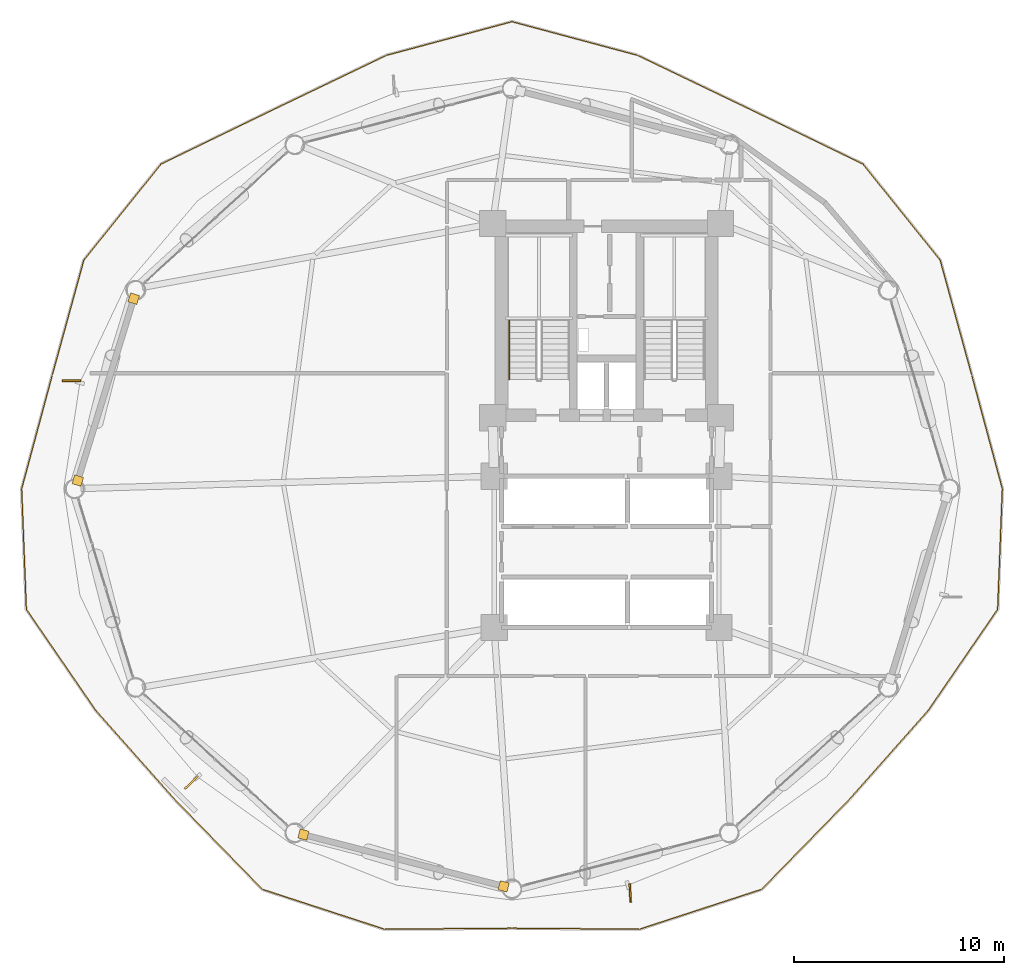
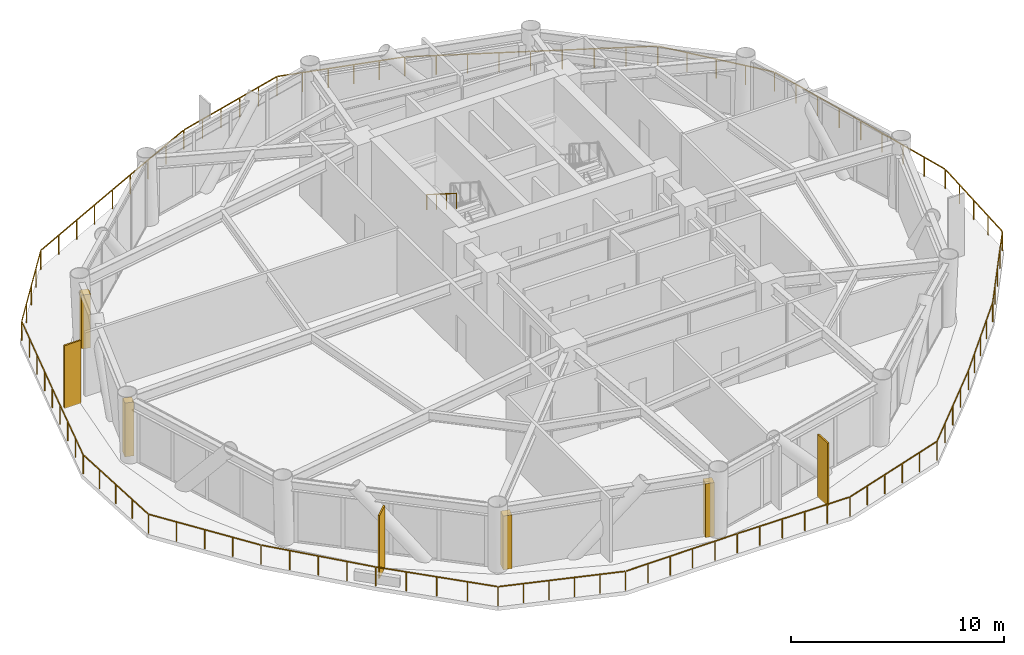
# One storey, part 22 of 24: 4 coverings, 3 shading devices, 2 railings.
"""IFC4 building model written with IfcOpenShell, lengths in metres."""

from ifc_helpers import new_model, si_unit, direction, frame, origin, origin_2d, place, context, subcontext, project, spatial, rectangle, extrude, source, transform, mapped, material, layer, layer_set, type_object, type_shapes, element, save


model = new_model("IFC4")

# Units and contexts
model_context = context("Model", 3, precision=1e-05, world=origin(), true_north=direction((0.0, 1.0)))
body_context = subcontext(model_context, "Body", "Model", "MODEL_VIEW")
ifc_project = project(units=[si_unit("LENGTHUNIT", "METRE"), si_unit("AREAUNIT", "SQUARE_METRE"), si_unit("VOLUMEUNIT", "CUBIC_METRE"), si_unit("PLANEANGLEUNIT", "RADIAN"), si_unit("MASSUNIT", "GRAM", prefix="KILO")], contexts=[model_context])

# Site, building, storey
site_placement = place(None, origin())
site = spatial("IfcSite", under=ifc_project, at=site_placement, CompositionType="ELEMENT")
building_placement = place(site_placement, origin())
building = spatial("IfcBuilding", under=site, at=building_placement, Name="Varnakorn Sky Granary", CompositionType="ELEMENT")
storey_placement = place(building_placement, frame((0.0, 0.0, 43.199951171875)))
storey = spatial("IfcBuildingStorey", under=building, at=storey_placement, Name="L10", CompositionType="ELEMENT", Elevation=43.199951171875)

# Railings
ifc_material_1 = material(Name="Anodised Bronze Aluminium Alloy 6063-T6", Category="aluminium")
railing_type_1 = type_object("IfcRailingType", Name="RL-BAL-1120", PredefinedType="BALUSTRADE", material=ifc_material_1)
railing_1_placement = place(storey_placement, frame((21.83203125, 0.0, 0.0)))
element("IfcRailing", 1, at=railing_1_placement, inside=storey, type_object=railing_type_1, Name="Wavy Growing Deck Guard Balustrade L10", PredefinedType="BALUSTRADE", context=body_context, shape_type="SweptSolid", body=[
    extrude(rectangle(XDim=0.048095703125, YDim=0.048095703125, at=origin_2d()), frame((-0.00732421875, 0.027099609375, 1.09619140625), z_axis=(-0.259813983137, 0.965658684094, 0.0), x_axis=(-0.965658684094, -0.259813983137, 0.0)), (0.0, 0.0, 1.0), 5.54345703125),
    extrude(rectangle(XDim=0.048095703125, YDim=0.048095703125, at=origin_2d()), frame((-1.462158203125, 5.434326171875, 1.09619140625), z_axis=(-0.264702873631, 0.964330020632, 0.0), x_axis=(-0.964330020632, -0.264702873631, 0.0)), (0.0, 0.0, 1.0), 5.62353515625),
    extrude(rectangle(XDim=0.048095703125, YDim=0.048095703125, at=origin_2d()), frame((-2.975830078125, 10.906005859375, 1.09619140625), z_axis=(-0.626485033946, 0.779433449527, 0.0), x_axis=(-0.779433449527, -0.626485033946, 0.0)), (0.0, 0.0, 1.0), 5.81005859375),
    extrude(rectangle(XDim=0.048095703125, YDim=0.048095703125, at=origin_2d()), frame((-6.658447265625, 15.46875, 1.09619140625), z_axis=(-0.899831566282, 0.43623749532, 0.0), x_axis=(-0.43623749532, -0.899831566282, 0.0)), (0.0, 0.0, 1.0), 5.932373046875),
    extrude(rectangle(XDim=0.048095703125, YDim=0.048095703125, at=origin_2d()), frame((-12.046875, 18.0810546875, 1.09619140625), z_axis=(-0.901562369498, 0.432649157985, 0.0), x_axis=(-0.432649157985, -0.901562369498, 0.0)), (0.0, 0.0, 1.0), 5.85498046875),
    extrude(rectangle(XDim=0.048095703125, YDim=0.048095703125, at=origin_2d()), frame((-17.3779296875, 20.633544921875, 1.09619140625), z_axis=(-0.965920772215, 0.258837906428, 0.0), x_axis=(-0.258837906428, -0.965920772215, 0.0)), (0.0, 0.0, 1.0), 6.13623046875),
    extrude(rectangle(XDim=0.048095703125, YDim=0.048095703125, at=origin_2d()), frame((-23.359130859375, 22.2216796875, 1.09619140625), z_axis=(-0.965920772215, -0.258837906428, 0.0), x_axis=(0.258837906428, -0.965920772215, 0.0)), (0.0, 0.0, 1.0), 6.13623046875),
    extrude(rectangle(XDim=0.048095703125, YDim=0.048095703125, at=origin_2d()), frame((-29.33837890625, 20.614013671875, 1.09619140625), z_axis=(-0.901562369498, -0.432649157985, 0.0), x_axis=(0.432649157985, -0.901562369498, 0.0)), (0.0, 0.0, 1.0), 5.85498046875),
    extrude(rectangle(XDim=0.048095703125, YDim=0.048095703125, at=origin_2d()), frame((-34.66748046875, 18.056640625, 1.09619140625), z_axis=(-0.899831566282, -0.43623749532, 0.0), x_axis=(0.43623749532, -0.899831566282, 0.0)), (0.0, 0.0, 1.0), 5.932373046875),
    extrude(rectangle(XDim=0.048095703125, YDim=0.048095703125, at=origin_2d()), frame((-40.04833984375, 15.434814453125, 1.09619140625), z_axis=(-0.626485033946, -0.779433449527, 0.0), x_axis=(0.779433449527, -0.626485033946, 0.0)), (0.0, 0.0, 1.0), 5.81005859375),
    extrude(rectangle(XDim=0.048095703125, YDim=0.048095703125, at=origin_2d()), frame((-43.713134765625, 10.857177734375, 1.09619140625), z_axis=(-0.264702873631, -0.964330020632, 0.0), x_axis=(0.964330020632, -0.264702873631, 0.0)), (0.0, 0.0, 1.0), 5.62353515625),
    extrude(rectangle(XDim=0.048095703125, YDim=0.048095703125, at=origin_2d()), frame((-45.216552734375, 5.380126953125, 1.09619140625), z_axis=(-0.259813983137, -0.965658684094, 0.0), x_axis=(0.965658684094, -0.259813983137, 0.0)), (0.0, 0.0, 1.0), 5.54345703125),
    extrude(rectangle(XDim=0.048095703125, YDim=0.048095703125, at=origin_2d()), frame((-46.6630859375, -0.028076171875, 1.09619140625), z_axis=(0.038864232906, -0.99924450031, 0.0), x_axis=(0.99924450031, 0.038864232906, 0.0)), (0.0, 0.0, 1.0), 5.685546875),
    extrude(rectangle(XDim=0.048095703125, YDim=0.048095703125, at=origin_2d()), frame((-46.425048828125, -5.760498046875, 1.09619140625), z_axis=(0.565959454843, -0.824433075194, 0.0), x_axis=(0.824433075194, 0.565959454843, 0.0)), (0.0, 0.0, 1.0), 5.786865234375),
    extrude(rectangle(XDim=0.048095703125, YDim=0.048095703125, at=origin_2d()), frame((-43.115478515625, -10.575439453125, 1.09619140625), z_axis=(0.663609935422, -0.748078775003, 0.0), x_axis=(0.748078775003, 0.663609935422, 0.0)), (0.0, 0.0, 1.0), 5.61474609375),
    extrude(rectangle(XDim=0.048095703125, YDim=0.048095703125, at=origin_2d()), frame((-39.351318359375, -14.816650390625, 1.09619140625), z_axis=(0.698193681402, -0.715908921057, 0.0), x_axis=(0.715908921057, 0.698193681402, 0.0)), (0.0, 0.0, 1.0), 5.8974609375),
    extrude(rectangle(XDim=0.048095703125, YDim=0.048095703125, at=origin_2d()), frame((-35.1875, -19.067626953125, 1.09619140625), z_axis=(0.950641276995, -0.31029205996, 0.0), x_axis=(0.31029205996, 0.950641276995, 0.0)), (0.0, 0.0, 1.0), 6.058349609375),
    extrude(rectangle(XDim=0.048095703125, YDim=0.048095703125, at=origin_2d()), frame((-29.37353515625, -20.955810546875, 1.09619140625), z_axis=(0.999969868011, 0.007762929268, 0.0), x_axis=(-0.007762929268, 0.999969868011, 0.0)), (0.0, 0.0, 1.0), 6.013671875),
    extrude(rectangle(XDim=0.048095703125, YDim=0.048095703125, at=origin_2d()), frame((-23.303955078125, -20.9091796875, 1.09619140625), z_axis=(0.999969868011, -0.007762929268, 0.0), x_axis=(0.007762929268, 0.999969868011, 0.0)), (0.0, 0.0, 1.0), 6.013671875),
    extrude(rectangle(XDim=0.048095703125, YDim=0.048095703125, at=origin_2d()), frame((-17.23583984375, -20.947265625, 1.09619140625), z_axis=(0.950641276995, 0.31029205996, 0.0), x_axis=(-0.31029205996, 0.950641276995, 0.0)), (0.0, 0.0, 1.0), 6.058349609375),
    extrude(rectangle(XDim=0.048095703125, YDim=0.048095703125, at=origin_2d()), frame((-11.430419921875, -19.038818359375, 1.09619140625), z_axis=(0.698193681402, 0.715908921057, 0.0), x_axis=(-0.715908921057, 0.698193681402, 0.0)), (0.0, 0.0, 1.0), 5.8974609375),
    extrude(rectangle(XDim=0.048095703125, YDim=0.048095703125, at=origin_2d()), frame((-7.274658203125, -14.775634765625, 1.09619140625), z_axis=(0.663609935422, 0.748078775003, 0.0), x_axis=(-0.748078775003, 0.663609935422, 0.0)), (0.0, 0.0, 1.0), 5.61474609375),
    extrude(rectangle(XDim=0.048095703125, YDim=0.048095703125, at=origin_2d()), frame((-3.51416015625, -10.53125, 1.09619140625), z_axis=(0.565959454843, 0.824433075194, 0.0), x_axis=(-0.824433075194, 0.565959454843, 0.0)), (0.0, 0.0, 1.0), 5.786865234375),
    extrude(rectangle(XDim=0.048095703125, YDim=0.048095703125, at=origin_2d()), frame((-0.22216796875, -5.709228515625, 1.09619140625), z_axis=(0.038864232906, 0.99924450031, 0.0), x_axis=(-0.99924450031, 0.038864232906, 0.0)), (0.0, 0.0, 1.0), 5.685546875),
    extrude(rectangle(XDim=0.0419921875, YDim=0.0419921875, at=origin_2d()), origin(), (0.0, 0.0, 1.0), 1.068115234375),
    extrude(rectangle(XDim=0.0419921875, YDim=0.0419921875, at=origin_2d()), frame((-0.36376953125, 1.351806640625, 0.0)), (0.0, 0.0, 1.0), 1.068115234375),
    extrude(rectangle(XDim=0.0419921875, YDim=0.0419921875, at=origin_2d()), frame((-0.7275390625, 2.70361328125, 0.0)), (0.0, 0.0, 1.0), 1.068115234375),
    extrude(rectangle(XDim=0.0419921875, YDim=0.0419921875, at=origin_2d()), frame((-1.091064453125, 4.055419921875, 0.0)), (0.0, 0.0, 1.0), 1.068115234375),
    extrude(rectangle(XDim=0.0419921875, YDim=0.0419921875, at=origin_2d()), frame((-1.454833984375, 5.4072265625, 0.0)), (0.0, 0.0, 1.0), 1.068115234375),
    extrude(rectangle(XDim=0.0419921875, YDim=0.0419921875, at=origin_2d()), frame((-1.83056640625, 6.7763671875, 0.0)), (0.0, 0.0, 1.0), 1.068115234375),
    extrude(rectangle(XDim=0.0419921875, YDim=0.0419921875, at=origin_2d()), frame((-2.20654296875, 8.145751953125, 0.0)), (0.0, 0.0, 1.0), 1.068115234375),
    extrude(rectangle(XDim=0.0419921875, YDim=0.0419921875, at=origin_2d()), frame((-2.58251953125, 9.51513671875, 0.0)), (0.0, 0.0, 1.0), 1.068115234375),
    extrude(rectangle(XDim=0.0419921875, YDim=0.0419921875, at=origin_2d()), frame((-2.958251953125, 10.88427734375, 0.0)), (0.0, 0.0, 1.0), 1.068115234375),
    extrude(rectangle(XDim=0.0419921875, YDim=0.0419921875, at=origin_2d()), frame((-3.876953125, 12.02734375, 0.0)), (0.0, 0.0, 1.0), 1.068115234375),
    extrude(rectangle(XDim=0.0419921875, YDim=0.0419921875, at=origin_2d()), frame((-4.7958984375, 13.17041015625, 0.0)), (0.0, 0.0, 1.0), 1.068115234375),
    extrude(rectangle(XDim=0.0419921875, YDim=0.0419921875, at=origin_2d()), frame((-5.714599609375, 14.3134765625, 0.0)), (0.0, 0.0, 1.0), 1.068115234375),
    extrude(rectangle(XDim=0.0419921875, YDim=0.0419921875, at=origin_2d()), frame((-6.63330078125, 15.45654296875, 0.0)), (0.0, 0.0, 1.0), 1.068115234375),
    extrude(rectangle(XDim=0.0419921875, YDim=0.0419921875, at=origin_2d()), frame((-7.98046875, 16.109619140625, 0.0)), (0.0, 0.0, 1.0), 1.068115234375),
    extrude(rectangle(XDim=0.0419921875, YDim=0.0419921875, at=origin_2d()), frame((-9.32763671875, 16.7626953125, 0.0)), (0.0, 0.0, 1.0), 1.068115234375),
    extrude(rectangle(XDim=0.0419921875, YDim=0.0419921875, at=origin_2d()), frame((-10.674560546875, 17.415771484375, 0.0)), (0.0, 0.0, 1.0), 1.068115234375),
    extrude(rectangle(XDim=0.0419921875, YDim=0.0419921875, at=origin_2d()), frame((-12.021728515625, 18.06884765625, 0.0)), (0.0, 0.0, 1.0), 1.068115234375),
    extrude(rectangle(XDim=0.0419921875, YDim=0.0419921875, at=origin_2d()), frame((-13.35400390625, 18.708251953125, 0.0)), (0.0, 0.0, 1.0), 1.068115234375),
    extrude(rectangle(XDim=0.0419921875, YDim=0.0419921875, at=origin_2d()), frame((-14.686279296875, 19.34765625, 0.0)), (0.0, 0.0, 1.0), 1.068115234375),
    extrude(rectangle(XDim=0.0419921875, YDim=0.0419921875, at=origin_2d()), frame((-16.0185546875, 19.98681640625, 0.0)), (0.0, 0.0, 1.0), 1.068115234375),
    extrude(rectangle(XDim=0.0419921875, YDim=0.0419921875, at=origin_2d()), frame((-17.350830078125, 20.626220703125, 0.0)), (0.0, 0.0, 1.0), 1.068115234375),
    extrude(rectangle(XDim=0.0419921875, YDim=0.0419921875, at=origin_2d()), frame((-18.547119140625, 20.94677734375, 0.0)), (0.0, 0.0, 1.0), 1.068115234375),
    extrude(rectangle(XDim=0.0419921875, YDim=0.0419921875, at=origin_2d()), frame((-19.743408203125, 21.267333984375, 0.0)), (0.0, 0.0, 1.0), 1.068115234375),
    extrude(rectangle(XDim=0.0419921875, YDim=0.0419921875, at=origin_2d()), frame((-20.939453125, 21.587890625, 0.0)), (0.0, 0.0, 1.0), 1.068115234375),
    extrude(rectangle(XDim=0.0419921875, YDim=0.0419921875, at=origin_2d()), frame((-22.1357421875, 21.908447265625, 0.0)), (0.0, 0.0, 1.0), 1.068115234375),
    extrude(rectangle(XDim=0.0419921875, YDim=0.0419921875, at=origin_2d()), frame((-23.33203125, 22.22900390625, 0.0)), (0.0, 0.0, 1.0), 1.068115234375),
    extrude(rectangle(XDim=0.0419921875, YDim=0.0419921875, at=origin_2d()), frame((-24.5283203125, 21.908447265625, 0.0)), (0.0, 0.0, 1.0), 1.068115234375),
    extrude(rectangle(XDim=0.0419921875, YDim=0.0419921875, at=origin_2d()), frame((-25.724609375, 21.587890625, 0.0)), (0.0, 0.0, 1.0), 1.068115234375),
    extrude(rectangle(XDim=0.0419921875, YDim=0.0419921875, at=origin_2d()), frame((-26.920654296875, 21.267333984375, 0.0)), (0.0, 0.0, 1.0), 1.068115234375),
    extrude(rectangle(XDim=0.0419921875, YDim=0.0419921875, at=origin_2d()), frame((-28.116943359375, 20.94677734375, 0.0)), (0.0, 0.0, 1.0), 1.068115234375),
    extrude(rectangle(XDim=0.0419921875, YDim=0.0419921875, at=origin_2d()), frame((-29.313232421875, 20.626220703125, 0.0)), (0.0, 0.0, 1.0), 1.068115234375),
    extrude(rectangle(XDim=0.0419921875, YDim=0.0419921875, at=origin_2d()), frame((-30.6455078125, 19.98681640625, 0.0)), (0.0, 0.0, 1.0), 1.068115234375),
    extrude(rectangle(XDim=0.0419921875, YDim=0.0419921875, at=origin_2d()), frame((-31.977783203125, 19.34765625, 0.0)), (0.0, 0.0, 1.0), 1.068115234375),
    extrude(rectangle(XDim=0.0419921875, YDim=0.0419921875, at=origin_2d()), frame((-33.31005859375, 18.708251953125, 0.0)), (0.0, 0.0, 1.0), 1.068115234375),
    extrude(rectangle(XDim=0.0419921875, YDim=0.0419921875, at=origin_2d()), frame((-34.642333984375, 18.06884765625, 0.0)), (0.0, 0.0, 1.0), 1.068115234375),
    extrude(rectangle(XDim=0.0419921875, YDim=0.0419921875, at=origin_2d()), frame((-35.989501953125, 17.415771484375, 0.0)), (0.0, 0.0, 1.0), 1.068115234375),
    extrude(rectangle(XDim=0.0419921875, YDim=0.0419921875, at=origin_2d()), frame((-37.33642578125, 16.7626953125, 0.0)), (0.0, 0.0, 1.0), 1.068115234375),
    extrude(rectangle(XDim=0.0419921875, YDim=0.0419921875, at=origin_2d()), frame((-38.68359375, 16.109619140625, 0.0)), (0.0, 0.0, 1.0), 1.068115234375),
    extrude(rectangle(XDim=0.0419921875, YDim=0.0419921875, at=origin_2d()), frame((-40.03076171875, 15.45654296875, 0.0)), (0.0, 0.0, 1.0), 1.068115234375),
    extrude(rectangle(XDim=0.0419921875, YDim=0.0419921875, at=origin_2d()), frame((-40.949462890625, 14.3134765625, 0.0)), (0.0, 0.0, 1.0), 1.068115234375),
    extrude(rectangle(XDim=0.0419921875, YDim=0.0419921875, at=origin_2d()), frame((-41.8681640625, 13.17041015625, 0.0)), (0.0, 0.0, 1.0), 1.068115234375),
    extrude(rectangle(XDim=0.0419921875, YDim=0.0419921875, at=origin_2d()), frame((-42.787109375, 12.02734375, 0.0)), (0.0, 0.0, 1.0), 1.068115234375),
    extrude(rectangle(XDim=0.0419921875, YDim=0.0419921875, at=origin_2d()), frame((-43.705810546875, 10.88427734375, 0.0)), (0.0, 0.0, 1.0), 1.068115234375),
    extrude(rectangle(XDim=0.0419921875, YDim=0.0419921875, at=origin_2d()), frame((-44.08154296875, 9.51513671875, 0.0)), (0.0, 0.0, 1.0), 1.068115234375),
    extrude(rectangle(XDim=0.0419921875, YDim=0.0419921875, at=origin_2d()), frame((-44.45751953125, 8.145751953125, 0.0)), (0.0, 0.0, 1.0), 1.068115234375),
    extrude(rectangle(XDim=0.0419921875, YDim=0.0419921875, at=origin_2d()), frame((-44.83349609375, 6.7763671875, 0.0)), (0.0, 0.0, 1.0), 1.068115234375),
    extrude(rectangle(XDim=0.0419921875, YDim=0.0419921875, at=origin_2d()), frame((-45.209228515625, 5.4072265625, 0.0)), (0.0, 0.0, 1.0), 1.068115234375),
    extrude(rectangle(XDim=0.0419921875, YDim=0.0419921875, at=origin_2d()), frame((-45.572998046875, 4.055419921875, 0.0)), (0.0, 0.0, 1.0), 1.068115234375),
    extrude(rectangle(XDim=0.0419921875, YDim=0.0419921875, at=origin_2d()), frame((-45.9365234375, 2.70361328125, 0.0)), (0.0, 0.0, 1.0), 1.068115234375),
    extrude(rectangle(XDim=0.0419921875, YDim=0.0419921875, at=origin_2d()), frame((-46.30029296875, 1.351806640625, 0.0)), (0.0, 0.0, 1.0), 1.068115234375),
    extrude(rectangle(XDim=0.0419921875, YDim=0.0419921875, at=origin_2d()), frame((-46.6640625, 0.0, 0.0)), (0.0, 0.0, 1.0), 1.068115234375),
    extrude(rectangle(XDim=0.0419921875, YDim=0.0419921875, at=origin_2d()), frame((-46.6083984375, -1.434326171875, 0.0)), (0.0, 0.0, 1.0), 1.068115234375),
    extrude(rectangle(XDim=0.0419921875, YDim=0.0419921875, at=origin_2d()), frame((-46.552490234375, -2.86865234375, 0.0)), (0.0, 0.0, 1.0), 1.068115234375),
    extrude(rectangle(XDim=0.0419921875, YDim=0.0419921875, at=origin_2d()), frame((-46.49658203125, -4.302978515625, 0.0)), (0.0, 0.0, 1.0), 1.068115234375),
    extrude(rectangle(XDim=0.0419921875, YDim=0.0419921875, at=origin_2d()), frame((-46.44091796875, -5.7373046875, 0.0)), (0.0, 0.0, 1.0), 1.068115234375),
    extrude(rectangle(XDim=0.0419921875, YDim=0.0419921875, at=origin_2d()), frame((-45.6142578125, -6.941650390625, 0.0)), (0.0, 0.0, 1.0), 1.068115234375),
    extrude(rectangle(XDim=0.0419921875, YDim=0.0419921875, at=origin_2d()), frame((-44.78759765625, -8.14599609375, 0.0)), (0.0, 0.0, 1.0), 1.068115234375),
    extrude(rectangle(XDim=0.0419921875, YDim=0.0419921875, at=origin_2d()), frame((-43.960693359375, -9.35009765625, 0.0)), (0.0, 0.0, 1.0), 1.068115234375),
    extrude(rectangle(XDim=0.0419921875, YDim=0.0419921875, at=origin_2d()), frame((-43.134033203125, -10.554443359375, 0.0)), (0.0, 0.0, 1.0), 1.068115234375),
    extrude(rectangle(XDim=0.0419921875, YDim=0.0419921875, at=origin_2d()), frame((-42.193359375, -11.614990234375, 0.0)), (0.0, 0.0, 1.0), 1.068115234375),
    extrude(rectangle(XDim=0.0419921875, YDim=0.0419921875, at=origin_2d()), frame((-41.25244140625, -12.675537109375, 0.0)), (0.0, 0.0, 1.0), 1.068115234375),
    extrude(rectangle(XDim=0.0419921875, YDim=0.0419921875, at=origin_2d()), frame((-40.3115234375, -13.736083984375, 0.0)), (0.0, 0.0, 1.0), 1.068115234375),
    extrude(rectangle(XDim=0.0419921875, YDim=0.0419921875, at=origin_2d()), frame((-39.370849609375, -14.796630859375, 0.0)), (0.0, 0.0, 1.0), 1.068115234375),
    extrude(rectangle(XDim=0.0419921875, YDim=0.0419921875, at=origin_2d()), frame((-38.33154296875, -15.8623046875, 0.0)), (0.0, 0.0, 1.0), 1.068115234375),
    extrude(rectangle(XDim=0.0419921875, YDim=0.0419921875, at=origin_2d()), frame((-37.29248046875, -16.927734375, 0.0)), (0.0, 0.0, 1.0), 1.068115234375),
    extrude(rectangle(XDim=0.0419921875, YDim=0.0419921875, at=origin_2d()), frame((-36.25341796875, -17.9931640625, 0.0)), (0.0, 0.0, 1.0), 1.068115234375),
    extrude(rectangle(XDim=0.0419921875, YDim=0.0419921875, at=origin_2d()), frame((-35.214111328125, -19.058837890625, 0.0)), (0.0, 0.0, 1.0), 1.068115234375),
    extrude(rectangle(XDim=0.0419921875, YDim=0.0419921875, at=origin_2d()), frame((-34.051513671875, -19.438232421875, 0.0)), (0.0, 0.0, 1.0), 1.068115234375),
    extrude(rectangle(XDim=0.0419921875, YDim=0.0419921875, at=origin_2d()), frame((-32.88916015625, -19.817626953125, 0.0)), (0.0, 0.0, 1.0), 1.068115234375),
    extrude(rectangle(XDim=0.0419921875, YDim=0.0419921875, at=origin_2d()), frame((-31.7265625, -20.197265625, 0.0)), (0.0, 0.0, 1.0), 1.068115234375),
    extrude(rectangle(XDim=0.0419921875, YDim=0.0419921875, at=origin_2d()), frame((-30.564208984375, -20.57666015625, 0.0)), (0.0, 0.0, 1.0), 1.068115234375),
    extrude(rectangle(XDim=0.0419921875, YDim=0.0419921875, at=origin_2d()), frame((-29.401611328125, -20.9560546875, 0.0)), (0.0, 0.0, 1.0), 1.068115234375),
    extrude(rectangle(XDim=0.0419921875, YDim=0.0419921875, at=origin_2d()), frame((-28.187744140625, -20.946533203125, 0.0)), (0.0, 0.0, 1.0), 1.068115234375),
    extrude(rectangle(XDim=0.0419921875, YDim=0.0419921875, at=origin_2d()), frame((-26.973876953125, -20.937255859375, 0.0)), (0.0, 0.0, 1.0), 1.068115234375),
    extrude(rectangle(XDim=0.0419921875, YDim=0.0419921875, at=origin_2d()), frame((-25.759765625, -20.927734375, 0.0)), (0.0, 0.0, 1.0), 1.068115234375),
    extrude(rectangle(XDim=0.0419921875, YDim=0.0419921875, at=origin_2d()), frame((-24.5458984375, -20.91845703125, 0.0)), (0.0, 0.0, 1.0), 1.068115234375),
    extrude(rectangle(XDim=0.0419921875, YDim=0.0419921875, at=origin_2d()), frame((-23.33203125, -20.908935546875, 0.0)), (0.0, 0.0, 1.0), 1.068115234375),
    extrude(rectangle(XDim=0.0419921875, YDim=0.0419921875, at=origin_2d()), frame((-22.1181640625, -20.91845703125, 0.0)), (0.0, 0.0, 1.0), 1.068115234375),
    extrude(rectangle(XDim=0.0419921875, YDim=0.0419921875, at=origin_2d()), frame((-20.904296875, -20.927734375, 0.0)), (0.0, 0.0, 1.0), 1.068115234375),
    extrude(rectangle(XDim=0.0419921875, YDim=0.0419921875, at=origin_2d()), frame((-19.690185546875, -20.937255859375, 0.0)), (0.0, 0.0, 1.0), 1.068115234375),
    extrude(rectangle(XDim=0.0419921875, YDim=0.0419921875, at=origin_2d()), frame((-18.476318359375, -20.946533203125, 0.0)), (0.0, 0.0, 1.0), 1.068115234375),
    extrude(rectangle(XDim=0.0419921875, YDim=0.0419921875, at=origin_2d()), frame((-17.262451171875, -20.9560546875, 0.0)), (0.0, 0.0, 1.0), 1.068115234375),
    extrude(rectangle(XDim=0.0419921875, YDim=0.0419921875, at=origin_2d()), frame((-16.099853515625, -20.57666015625, 0.0)), (0.0, 0.0, 1.0), 1.068115234375),
    extrude(rectangle(XDim=0.0419921875, YDim=0.0419921875, at=origin_2d()), frame((-14.9375, -20.197265625, 0.0)), (0.0, 0.0, 1.0), 1.068115234375),
    extrude(rectangle(XDim=0.0419921875, YDim=0.0419921875, at=origin_2d()), frame((-13.77490234375, -19.817626953125, 0.0)), (0.0, 0.0, 1.0), 1.068115234375),
    extrude(rectangle(XDim=0.0419921875, YDim=0.0419921875, at=origin_2d()), frame((-12.612548828125, -19.438232421875, 0.0)), (0.0, 0.0, 1.0), 1.068115234375),
    extrude(rectangle(XDim=0.0419921875, YDim=0.0419921875, at=origin_2d()), frame((-11.449951171875, -19.058837890625, 0.0)), (0.0, 0.0, 1.0), 1.068115234375),
    extrude(rectangle(XDim=0.0419921875, YDim=0.0419921875, at=origin_2d()), frame((-10.41064453125, -17.9931640625, 0.0)), (0.0, 0.0, 1.0), 1.068115234375),
    extrude(rectangle(XDim=0.0419921875, YDim=0.0419921875, at=origin_2d()), frame((-9.37158203125, -16.927734375, 0.0)), (0.0, 0.0, 1.0), 1.068115234375),
    extrude(rectangle(XDim=0.0419921875, YDim=0.0419921875, at=origin_2d()), frame((-8.33251953125, -15.8623046875, 0.0)), (0.0, 0.0, 1.0), 1.068115234375),
    extrude(rectangle(XDim=0.0419921875, YDim=0.0419921875, at=origin_2d()), frame((-7.293212890625, -14.796630859375, 0.0)), (0.0, 0.0, 1.0), 1.068115234375),
    extrude(rectangle(XDim=0.0419921875, YDim=0.0419921875, at=origin_2d()), frame((-6.3525390625, -13.736083984375, 0.0)), (0.0, 0.0, 1.0), 1.068115234375),
    extrude(rectangle(XDim=0.0419921875, YDim=0.0419921875, at=origin_2d()), frame((-5.41162109375, -12.675537109375, 0.0)), (0.0, 0.0, 1.0), 1.068115234375),
    extrude(rectangle(XDim=0.0419921875, YDim=0.0419921875, at=origin_2d()), frame((-4.470703125, -11.614990234375, 0.0)), (0.0, 0.0, 1.0), 1.068115234375),
    extrude(rectangle(XDim=0.0419921875, YDim=0.0419921875, at=origin_2d()), frame((-3.530029296875, -10.554443359375, 0.0)), (0.0, 0.0, 1.0), 1.068115234375),
    extrude(rectangle(XDim=0.0419921875, YDim=0.0419921875, at=origin_2d()), frame((-2.703369140625, -9.35009765625, 0.0)), (0.0, 0.0, 1.0), 1.068115234375),
    extrude(rectangle(XDim=0.0419921875, YDim=0.0419921875, at=origin_2d()), frame((-1.87646484375, -8.14599609375, 0.0)), (0.0, 0.0, 1.0), 1.068115234375),
    extrude(rectangle(XDim=0.0419921875, YDim=0.0419921875, at=origin_2d()), frame((-1.0498046875, -6.941650390625, 0.0)), (0.0, 0.0, 1.0), 1.068115234375),
    extrude(rectangle(XDim=0.0419921875, YDim=0.0419921875, at=origin_2d()), frame((-0.22314453125, -5.7373046875, 0.0)), (0.0, 0.0, 1.0), 1.068115234375),
    extrude(rectangle(XDim=0.0419921875, YDim=0.0419921875, at=origin_2d()), frame((-0.16748046875, -4.302978515625, 0.0)), (0.0, 0.0, 1.0), 1.068115234375),
    extrude(rectangle(XDim=0.0419921875, YDim=0.0419921875, at=origin_2d()), frame((-0.111572265625, -2.86865234375, 0.0)), (0.0, 0.0, 1.0), 1.068115234375),
    extrude(rectangle(XDim=0.0419921875, YDim=0.0419921875, at=origin_2d()), frame((-0.0556640625, -1.434326171875, 0.0)), (0.0, 0.0, 1.0), 1.068115234375),
])
ifc_material_2 = material(Name="Brushed Stainless Steel 316", Category="steel")
railing_type_2 = type_object("IfcRailingType", Name="RL-STAIR-920", PredefinedType="HANDRAIL", material=ifc_material_2)
railing_2_placement = place(storey_placement, frame((-1.6201171875, 8.0, 2.12744140625)))
element("IfcRailing", 2, at=railing_2_placement, inside=storey, type_object=railing_type_2, Name="L10 ST-1 stair handrail 2", PredefinedType="HANDRAIL", context=body_context, shape_type="SweptSolid", body=[
    extrude(rectangle(XDim=0.048095703125, YDim=0.048095703125, at=origin_2d()), frame((0.0, 0.0, 0.8759765625), z_axis=(0.0, -0.844908973607, 0.534910110503), x_axis=(1.0, 0.0, 0.0)), (0.0, 0.0, 1.0), 3.31396484375),
    extrude(rectangle(XDim=0.0419921875, YDim=0.0419921875, at=origin_2d()), origin(), (0.0, 0.0, 1.0), 0.847900390625),
    extrude(rectangle(XDim=0.0419921875, YDim=0.0419921875, at=origin_2d()), frame((0.0, -0.933349609375, 0.5908203125)), (0.0, 0.0, 1.0), 0.847900390625),
    extrude(rectangle(XDim=0.0419921875, YDim=0.0419921875, at=origin_2d()), frame((0.0, -1.86669921875, 1.181884765625)), (0.0, 0.0, 1.0), 0.847900390625),
    extrude(rectangle(XDim=0.0419921875, YDim=0.0419921875, at=origin_2d()), frame((0.0, -2.800048828125, 1.772705078125)), (0.0, 0.0, 1.0), 0.847900390625),
])

# Shading devices
shading_device_type = type_object("IfcShadingDeviceType", Name="SH-FIN-01", PredefinedType="USERDEFINED", material=ifc_material_1)
shared_shape_1 = source(origin(), body_context, "Body", "SweptSolid", [
    extrude(rectangle(XDim=0.0849609375, YDim=0.8798828125, at=origin_2d()), origin(), (0.0, 0.0, 1.0), 3.60009765625),
])
type_shapes(shading_device_type, [shared_shape_1])
for number, where, z_axis, x_axis, name in (
    (3, (-22.45068359375, 5.14599609375, -0.0400390625), (0.0, 0.0, 1.0), (0.00661170055, -0.999978142469, 0.0), "Bronze Solar-Tracking Vertical Blade FIN L10-06"),
    (4, (-16.75537109375, -13.9765625, -0.0400390625), (0.0, 0.0, 1.0), (0.693304677588, -0.720644589264, 0.0), "Bronze Solar-Tracking Vertical Blade FIN L10-08"),
    (5, (4.124267578125, -19.241943359375, -0.0400390625), (0.0, 0.0, 1.0), (0.998795842558, 0.049059809304, 0.0), "Bronze Solar-Tracking Vertical Blade FIN L10-10"),
):
    element("IfcShadingDevice", number, at=place(storey_placement, frame(where, z_axis=z_axis, x_axis=x_axis)), inside=storey, type_object=shading_device_type, Name=name, ObjectType="FIN", PredefinedType="USERDEFINED", context=body_context, shape_type="MappedRepresentation", body=[
        mapped(shared_shape_1, transform((0.0, 0.0, 0.0), x_axis=(1.0, 0.0, 0.0), y_axis=(0.0, 1.0, 0.0), z_axis=(0.0, 0.0, 1.0), scale=1.0)),
    ])

# Coverings
ifc_layer = layer(ifc_material_1, 0.050048828125, Name="Anodised Bronze Aluminium Alloy 6063-T6")
ifc_layer_set = layer_set([ifc_layer], Name="Anodised Bronze Aluminium Alloy 6063-T6")
covering_type = type_object("IfcCoveringType", Name="CV-CLAD-50", PredefinedType="CLADDING", material=ifc_layer_set)
shared_shape_2 = source(origin(), body_context, "Body", "SweptSolid", [
    extrude(rectangle(XDim=0.43994140625, YDim=0.43994140625, at=origin_2d()), origin(), (0.0, 0.0, 1.0), 3.080078125),
])
type_shapes(covering_type, [shared_shape_2])
for number, where, z_axis, x_axis, name in (
    (6, (-22.160888671875, 0.393798828125, -0.02001953125), (0.0, 0.0, 1.0), (0.293706672624, 0.955895596002, 0.0), "Bronze Corner Pilaster Closure L10-P06-A"),
    (7, (-19.501708984375, 9.048095703125, -0.02001953125), (0.0, 0.0, 1.0), (0.293706672624, 0.955895596002, 0.0), "Bronze Corner Pilaster Closure L10-P06-B"),
    (8, (-1.89892578125, -18.916015625, -0.02001953125), (0.0, 0.0, 1.0), (-0.968278606324, 0.249873048837, 0.0), "Bronze Corner Pilaster Closure L10-P09-A"),
    (9, (-11.424560546875, -16.45703125, -0.02001953125), (0.0, 0.0, 1.0), (-0.968278606324, 0.249873048837, 0.0), "Bronze Corner Pilaster Closure L10-P09-B"),
):
    element("IfcCovering", number, at=place(storey_placement, frame(where, z_axis=z_axis, x_axis=x_axis)), inside=storey, type_object=covering_type, Name=name, PredefinedType="CLADDING", context=body_context, shape_type="MappedRepresentation", body=[
        mapped(shared_shape_2, transform((0.0, 0.0, 0.0), x_axis=(1.0, 0.0, 0.0), y_axis=(0.0, 1.0, 0.0), z_axis=(0.0, 0.0, 1.0), scale=1.0)),
    ])

save(model, "model.ifc")
